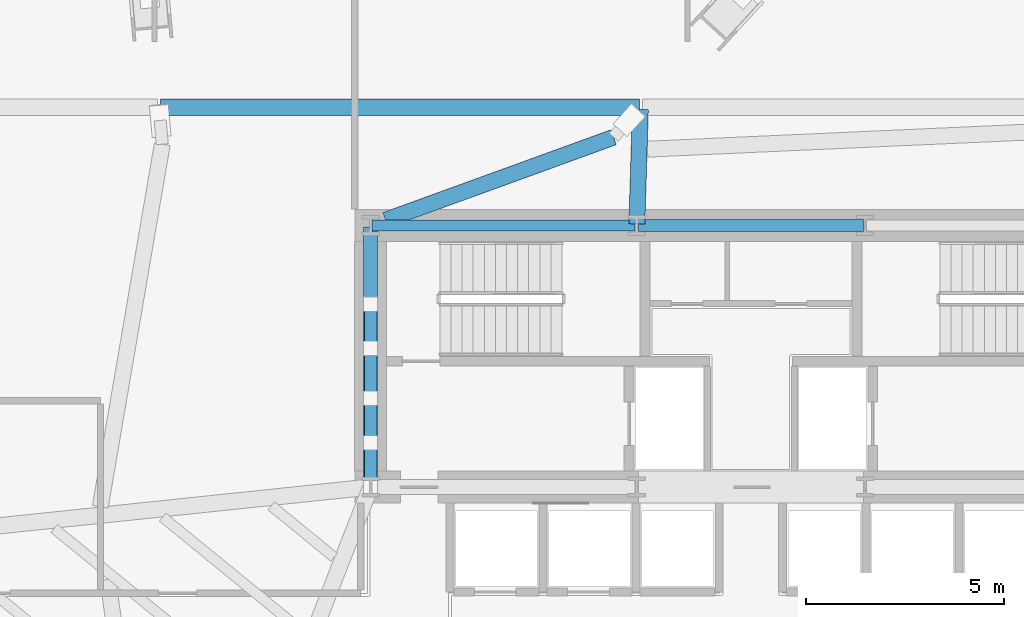
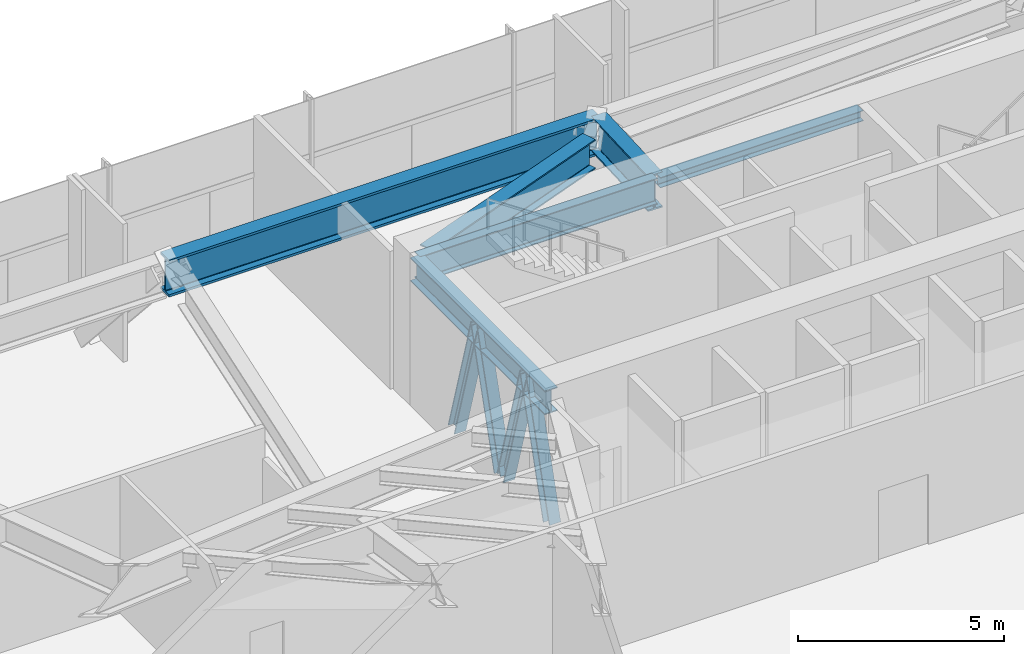
# One storey, part 11 of 29: 6 beams, 4 members.
"""IFC4 building model written with IfcOpenShell, lengths in metres."""

from ifc_helpers import new_model, si_unit, direction, frame, origin, origin_2d, place, context, subcontext, project, spatial, i_section, extrude, source, transform, mapped, material, material_profile, profile_set, type_object, type_shapes, element, save


model = new_model("IFC4")

# Units and contexts
model_context = context("Model", 3, precision=1e-05, world=origin(), true_north=direction((0.0, 1.0)))
body_context = subcontext(model_context, "Body", "Model", "MODEL_VIEW")
ifc_project = project(units=[si_unit("LENGTHUNIT", "METRE"), si_unit("AREAUNIT", "SQUARE_METRE"), si_unit("VOLUMEUNIT", "CUBIC_METRE"), si_unit("PLANEANGLEUNIT", "RADIAN"), si_unit("MASSUNIT", "GRAM", prefix="KILO")], contexts=[model_context])

# Site, building, storey
site_placement = place(None, origin())
site = spatial("IfcSite", under=ifc_project, at=site_placement, CompositionType="ELEMENT")
building_placement = place(site_placement, origin())
building = spatial("IfcBuilding", under=site, at=building_placement, Name="Astriad Promenade Condominiums", CompositionType="ELEMENT")
storey_placement = place(building_placement, frame((0.0, 0.0, 18.5)))
storey = spatial("IfcBuildingStorey", under=building, at=storey_placement, Name="L04", CompositionType="ELEMENT", Elevation=18.5)

# Beams
ifc_material = material(Name="Steel ASTM A992 Grade 50", Category="steel")
ifc_material_profile_1 = material_profile(ifc_material, i_section(OverallWidth=0.267822265625, OverallDepth=0.76953125, WebThickness=0.015625, FlangeThickness=0.025390625, FilletRadius=0.021484375, at=origin_2d()), Name="W30X132")
ifc_profile_set_1 = profile_set([ifc_material_profile_1], Name="Steel ASTM A992 Grade 50")
beam_type_1 = type_object("IfcBeamType", Name="STEEL FLOOR GIRDER W30X132", PredefinedType="BEAM", material=ifc_profile_set_1)
shared_shape_1 = source(origin(), body_context, "Body", "SweptSolid", [
    extrude(i_section(OverallWidth=0.267822265625, OverallDepth=0.76953125, WebThickness=0.015625, FlangeThickness=0.025390625, FilletRadius=0.021484375, at=origin_2d()), origin(), (0.0, 0.0, 1.0), 6.64013671875),
])
type_shapes(beam_type_1, [shared_shape_1])
beam_1_placement = place(storey_placement, frame((26.43994140625, 24.0, 3.6953125), z_axis=(1.0, 0.0, 0.0), x_axis=(0.0, 1.0, 0.0)))
element("IfcBeam", 1, at=beam_1_placement, inside=storey, type_object=beam_type_1, Name="Core Ring Beam CG-N1-L04", PredefinedType="BEAM", context=body_context, shape_type="MappedRepresentation", body=[
    mapped(shared_shape_1, transform((0.0, 0.0, 0.0), scale=1.0)),
])
ifc_material_profile_2 = material_profile(ifc_material, i_section(OverallWidth=0.3046875, OverallDepth=0.307861328125, WebThickness=0.010009765625, FlangeThickness=0.015380859375, FilletRadius=0.01513671875, at=origin_2d()), Name="W12X65")
ifc_profile_set_2 = profile_set([ifc_material_profile_2], Name="Steel ASTM A992 Grade 50")
beam_type_2 = type_object("IfcBeamType", Name="STEEL OPENING LINTEL W12X65", PredefinedType="LINTEL", material=ifc_profile_set_2)
shared_shape_2 = source(origin(), body_context, "Body", "SweptSolid", [
    extrude(i_section(OverallWidth=0.3046875, OverallDepth=0.307861328125, WebThickness=0.010009765625, FlangeThickness=0.015380859375, FilletRadius=0.01513671875, at=origin_2d()), origin(), (0.0, 0.0, 1.0), 5.68017578125),
])
type_shapes(beam_type_2, [shared_shape_2])
beam_2_placement = place(storey_placement, frame((33.159912109375, 24.0, 3.926025390625), z_axis=(1.0, 0.0, 0.0), x_axis=(0.0, 1.0, 0.0)))
element("IfcBeam", 2, at=beam_2_placement, inside=storey, type_object=beam_type_2, Name="Core Ring Beam CG-N2-L04", PredefinedType="LINTEL", context=body_context, shape_type="MappedRepresentation", body=[
    mapped(shared_shape_2, transform((0.0, 0.0, 0.0), scale=1.0)),
])
ifc_material_profile_3 = material_profile(ifc_material, i_section(OverallWidth=0.35791015625, OverallDepth=0.706298828125, WebThickness=0.018310546875, FlangeThickness=0.0302734375, FilletRadius=0.020263671875, at=origin_2d()), Name="W27X178")
ifc_profile_set_3 = profile_set([ifc_material_profile_3], Name="Steel ASTM A992 Grade 50")
beam_type_3 = type_object("IfcBeamType", Name="STEEL FLOOR GIRDER W27X178", PredefinedType="BEAM", material=ifc_profile_set_3)
shared_shape_3 = source(origin(), body_context, "Body", "SweptSolid", [
    extrude(i_section(OverallWidth=0.35791015625, OverallDepth=0.706298828125, WebThickness=0.018310546875, FlangeThickness=0.0302734375, FilletRadius=0.020263671875, at=origin_2d()), origin(), (0.0, 0.0, 1.0), 6.52001953125),
])
type_shapes(beam_type_3, [shared_shape_3])
beam_3_placement = place(storey_placement, frame((26.39990234375, 17.43994140625, 3.726806640625), z_axis=(0.0, 1.0, 0.0), x_axis=(-1.0, 0.0, 0.0)))
element("IfcBeam", 3, at=beam_3_placement, inside=storey, type_object=beam_type_3, Name="Core Ring Beam CG-W1-L04", PredefinedType="BEAM", context=body_context, shape_type="MappedRepresentation", body=[
    mapped(shared_shape_3, transform((0.0, 0.0, 0.0), scale=1.0)),
])
ifc_material_profile_4 = material_profile(ifc_material, i_section(OverallWidth=0.4169921875, OverallDepth=1.093505859375, WebThickness=0.0390625, FlangeThickness=0.070068359375, FilletRadius=0.025390625, at=origin_2d()), Name="W40X503")
ifc_profile_set_4 = profile_set([ifc_material_profile_4], Name="Steel ASTM A992 Grade 50")
beam_type_4 = type_object("IfcBeamType", Name="STEEL TRANSFER GIRDER W40X503", PredefinedType="BEAM", material=ifc_profile_set_4)
shared_shape_4 = source(origin(), body_context, "Body", "SweptSolid", [
    extrude(i_section(OverallWidth=0.4169921875, OverallDepth=1.093505859375, WebThickness=0.0390625, FlangeThickness=0.070068359375, FilletRadius=0.025390625, at=origin_2d()), origin(), (0.0, 0.0, 1.0), 12.09033203125),
])
type_shapes(beam_type_4, [shared_shape_4])
beam_4_placement = place(storey_placement, frame((33.188720703125, 26.989013671875, 3.533203125), z_axis=(-1.0, 0.0, 0.0), x_axis=(0.0, -1.0, 0.0)))
element("IfcBeam", 4, at=beam_4_placement, inside=storey, type_object=beam_type_4, Name="Perimeter Spandrel Beam SP-N2-L04", PredefinedType="BEAM", context=body_context, shape_type="MappedRepresentation", body=[
    mapped(shared_shape_4, transform((0.0, 0.0, 0.0), scale=1.0)),
])
ifc_material_profile_5 = material_profile(ifc_material, i_section(OverallWidth=0.404052734375, OverallDepth=1.046142578125, WebThickness=0.025390625, FlangeThickness=0.0458984375, FilletRadius=0.025390625, at=origin_2d()), Name="W40X324")
ifc_profile_set_5 = profile_set([ifc_material_profile_5], Name="Steel ASTM A992 Grade 50")
beam_type_5 = type_object("IfcBeamType", Name="STEEL TRANSFER GIRDER W40X324", PredefinedType="BEAM", material=ifc_profile_set_5)
shared_shape_5 = source(origin(), body_context, "Body", "SweptSolid", [
    extrude(i_section(OverallWidth=0.404052734375, OverallDepth=1.046142578125, WebThickness=0.025390625, FlangeThickness=0.0458984375, FilletRadius=0.025390625, at=origin_2d()), origin(), (0.0, 0.0, 1.0), 2.889892578125),
])
type_shapes(beam_type_5, [shared_shape_5])
beam_5_placement = place(storey_placement, frame((33.208984375, 26.9287109375, 3.556884765625), z_axis=(-0.030411890005, -0.999537451498, 0.0), x_axis=(0.999537451498, -0.030411890005, 0.0)))
element("IfcBeam", 5, at=beam_5_placement, inside=storey, type_object=beam_type_5, Name="Primary Floor Girder PG-NC-L04", PredefinedType="BEAM", context=body_context, shape_type="MappedRepresentation", body=[
    mapped(shared_shape_5, transform((0.0, 0.0, 0.0), scale=1.0)),
])
ifc_material_profile_6 = material_profile(ifc_material, i_section(OverallWidth=0.4013671875, OverallDepth=0.877197265625, WebThickness=0.022216796875, FlangeThickness=0.039794921875, FilletRadius=0.02294921875, at=origin_2d()), Name="W33X263")
ifc_profile_set_6 = profile_set([ifc_material_profile_6], Name="Steel ASTM A992 Grade 50")
beam_type_6 = type_object("IfcBeamType", Name="STEEL TRANSFER CARRIER GIRDER W33X263", PredefinedType="BEAM", material=ifc_profile_set_6)
shared_shape_6 = source(origin(), body_context, "Body", "SweptSolid", [
    extrude(i_section(OverallWidth=0.4013671875, OverallDepth=0.877197265625, WebThickness=0.022216796875, FlangeThickness=0.039794921875, FilletRadius=0.02294921875, at=origin_2d()), origin(), (0.0, 0.0, 1.0), 6.1240234375),
])
type_shapes(beam_type_6, [shared_shape_6])
beam_6_placement = place(storey_placement, frame((26.77783203125, 24.13720703125, 3.641357421875), z_axis=(0.939884180371, 0.341493378396, 0.0), x_axis=(-0.341493378396, 0.939884180371, 0.0)))
element("IfcBeam", 6, at=beam_6_placement, inside=storey, type_object=beam_type_6, Name="Transfer Splice Carrier TRM-SP-PC08-L04", PredefinedType="BEAM", context=body_context, shape_type="MappedRepresentation", body=[
    mapped(shared_shape_6, transform((0.0, 0.0, 0.0), scale=1.0)),
])

# Members
ifc_material_profile_7 = material_profile(ifc_material, i_section(OverallWidth=0.31494140625, OverallDepth=0.340576171875, WebThickness=0.02001953125, FlangeThickness=0.03173828125, FilletRadius=0.01513671875, at=origin_2d()), Name="W12X136")
ifc_profile_set_7 = profile_set([ifc_material_profile_7], Name="Steel ASTM A992 Grade 50")
member_type = type_object("IfcMemberType", Name="STEEL TRANSFER WEB BRACE W12X136", PredefinedType="BRACE", material=ifc_profile_set_7)
shared_shape_7 = source(origin(), body_context, "Body", "SweptSolid", [
    extrude(i_section(OverallWidth=0.31494140625, OverallDepth=0.340576171875, WebThickness=0.02001953125, FlangeThickness=0.03173828125, FilletRadius=0.01513671875, at=origin_2d()), origin(), (0.0, 0.0, 1.0), 3.873779296875),
])
type_shapes(member_type, [shared_shape_7])
for number, where, z_axis, x_axis, name in (
    (7, (26.39990234375, 17.406982421875, 0.1640625), (0.0, 0.286006160269, 0.958227778917), (-1.0, 0.0, 0.0), "Core Coupling Warren Brace L04-01A"),
    (8, (26.39990234375, 19.636962890625, 0.1640625), (0.0, -0.286006160269, 0.958227778917), (1.0, 0.0, 0.0), "Core Coupling Warren Brace L04-01B"),
    (9, (26.39990234375, 19.783203125, 0.1640625), (0.0, 0.28594828938, 0.958245049974), (-1.0, 0.0, 0.0), "Core Coupling Warren Brace L04-02A"),
    (10, (26.39990234375, 22.012939453125, 0.1640625), (0.0, -0.286006160269, 0.958227778917), (1.0, 0.0, 0.0), "Core Coupling Warren Brace L04-02B"),
):
    element("IfcMember", number, at=place(storey_placement, frame(where, z_axis=z_axis, x_axis=x_axis)), inside=storey, type_object=member_type, Name=name, PredefinedType="BRACE", context=body_context, shape_type="MappedRepresentation", body=[
        mapped(shared_shape_7, transform((0.0, 0.0, 0.0), scale=1.0)),
    ])

save(model, "model.ifc")
